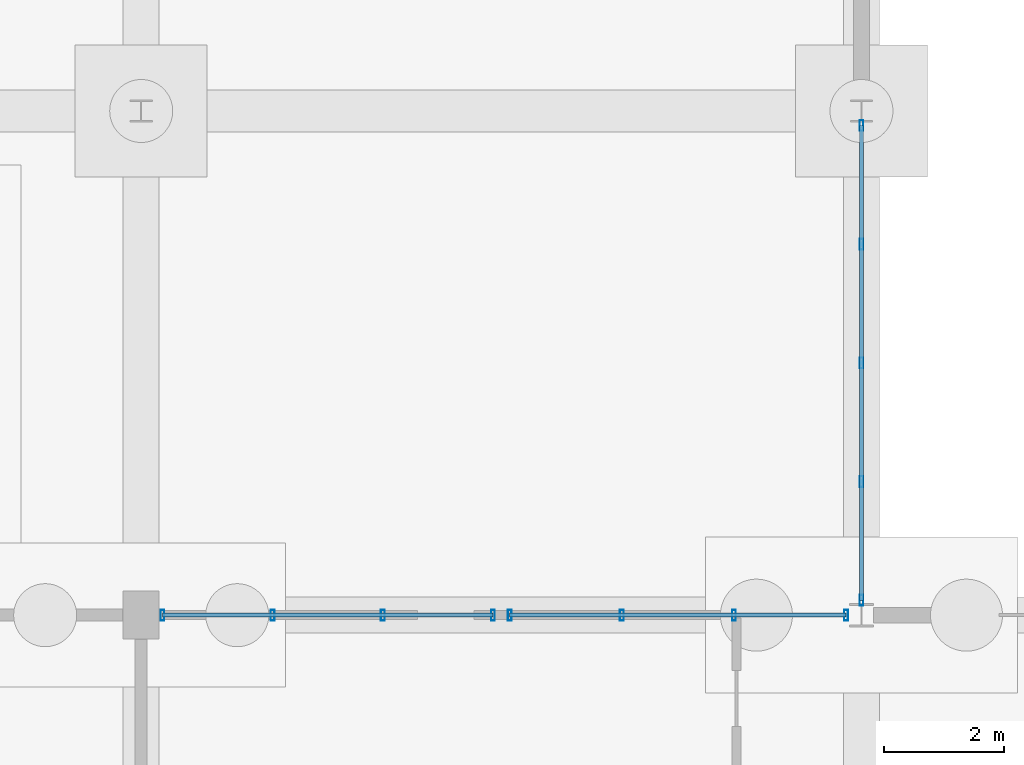
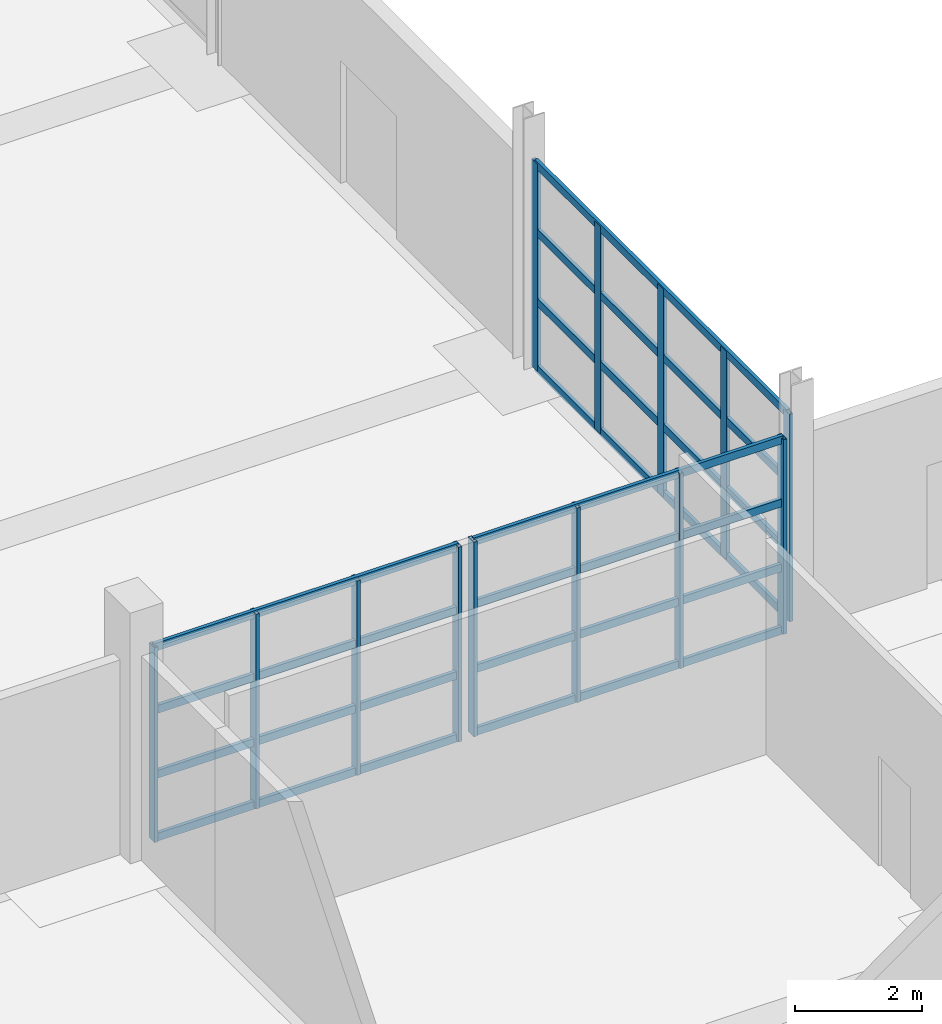
# One storey, part 23 of 82: 25 members, 3 elements without a shape of their own.
"""IFC4 building model written with IfcOpenShell, lengths in metres."""

from ifc_helpers import new_model, si_unit, direction, frame, origin, origin_2d, place, context, subcontext, project, spatial, hollow_rectangle, extrude, material, material_profile, profile_set, type_object, element, aggregate, save


model = new_model("IFC4")

# Units and contexts
model_context = context("Model", 3, precision=1e-05, world=origin(), true_north=direction((0.0, 1.0)))
body_context = subcontext(model_context, "Body", "Model", "MODEL_VIEW")
ifc_project = project(units=[si_unit("LENGTHUNIT", "METRE"), si_unit("AREAUNIT", "SQUARE_METRE"), si_unit("VOLUMEUNIT", "CUBIC_METRE"), si_unit("PLANEANGLEUNIT", "RADIAN"), si_unit("MASSUNIT", "GRAM", prefix="KILO")], contexts=[model_context])

# Site, building, storey
site_placement = place(None, origin())
site = spatial("IfcSite", under=ifc_project, at=site_placement, CompositionType="ELEMENT")
building_placement = place(site_placement, origin())
building = spatial("IfcBuilding", under=site, at=building_placement, Name="Kelmvaro Bay Concert Hall", CompositionType="ELEMENT")
storey_placement = place(building_placement, origin())
storey = spatial("IfcBuildingStorey", under=building, at=storey_placement, Name="L00", CompositionType="ELEMENT", Elevation=0.0)

# Curtain wall, members
ifc_material_1 = material(Name="Anodised Aluminium and Low-E Insulated Glazing", Category="aluminium")
curtain_wall_type_1 = type_object("IfcCurtainWallType", Name="Foyer Ground Hurricane Curtain Wall 4400", PredefinedType="USERDEFINED", material=ifc_material_1)
curtain_wall_1_placement = place(storey_placement, origin())
curtain_wall_1 = element("IfcCurtainWall", 1, at=curtain_wall_1_placement, inside=storey, type_object=curtain_wall_type_1, Name="Unitised Curtain Wall CW-L00-047", ObjectType="UNITISED GLAZING", PredefinedType="USERDEFINED")
ifc_material_2 = material(Name="Anodised Extruded Aluminium 6063-T6", Category="aluminium")
ifc_material_profile_1 = material_profile(ifc_material_2, hollow_rectangle(XDim=0.06494140625, YDim=0.179931640625, WallThickness=0.00390625, at=origin_2d()), Name="ALU-MUL-180X65")
ifc_profile_set_1 = profile_set([ifc_material_profile_1], Name="Anodised Extruded Aluminium 6063-T6")
member_type_1 = type_object("IfcMemberType", Name="Curtain Mullion ALU 180x65", PredefinedType="MULLION", material=ifc_profile_set_1)
member_1_placement = place(storey_placement, frame((48.35498046875, 39.0, 0.0), z_axis=(0.0, 0.0, 1.0), x_axis=(1.0, 0.0, 0.0)))
member_1 = element("IfcMember", 2, at=member_1_placement, type_object=member_type_1, Name="CW-L00-047 Mullion 01", PredefinedType="MULLION", context=body_context, shape_type="SweptSolid", body=[
    extrude(hollow_rectangle(XDim=0.06494140625, YDim=0.179931640625, WallThickness=0.00390625, at=origin_2d()), origin(), (0.0, 0.0, 1.0), 3.72998046875),
])
member_2_placement = place(storey_placement, frame((50.18994140625, 39.0, 0.0), z_axis=(0.0, 0.0, 1.0), x_axis=(1.0, 0.0, 0.0)))
member_2 = element("IfcMember", 3, at=member_2_placement, type_object=member_type_1, Name="CW-L00-047 Mullion 02", PredefinedType="MULLION", context=body_context, shape_type="SweptSolid", body=[
    extrude(hollow_rectangle(XDim=0.06494140625, YDim=0.179931640625, WallThickness=0.00390625, at=origin_2d()), origin(), (0.0, 0.0, 1.0), 3.72998046875),
])
member_3_placement = place(storey_placement, frame((52.02490234375, 39.0, 0.0), z_axis=(0.0, 0.0, 1.0), x_axis=(1.0, 0.0, 0.0)))
member_3 = element("IfcMember", 4, at=member_3_placement, type_object=member_type_1, Name="CW-L00-047 Mullion 03", PredefinedType="MULLION", context=body_context, shape_type="SweptSolid", body=[
    extrude(hollow_rectangle(XDim=0.06494140625, YDim=0.179931640625, WallThickness=0.00390625, at=origin_2d()), origin(), (0.0, 0.0, 1.0), 3.72998046875),
])
member_4_placement = place(storey_placement, frame((53.860107421875, 39.0, 0.0), z_axis=(0.0, 0.0, 1.0), x_axis=(1.0, 0.0, 0.0)))
member_4 = element("IfcMember", 5, at=member_4_placement, type_object=member_type_1, Name="CW-L00-047 Mullion 04", PredefinedType="MULLION", context=body_context, shape_type="SweptSolid", body=[
    extrude(hollow_rectangle(XDim=0.06494140625, YDim=0.179931640625, WallThickness=0.00390625, at=origin_2d()), origin(), (0.0, 0.0, 1.0), 3.72998046875),
])

curtain_wall_2_placement = place(storey_placement, origin())
curtain_wall_2 = element("IfcCurtainWall", 6, at=curtain_wall_2_placement, inside=storey, type_object=curtain_wall_type_1, Name="Unitised Curtain Wall CW-L00-048", ObjectType="UNITISED GLAZING", PredefinedType="USERDEFINED")
member_5_placement = place(storey_placement, frame((54.139892578125, 39.0, 0.0), z_axis=(0.0, 0.0, 1.0), x_axis=(1.0, 0.0, 0.0)))
member_5 = element("IfcMember", 7, at=member_5_placement, type_object=member_type_1, Name="CW-L00-048 Mullion 01", PredefinedType="MULLION", context=body_context, shape_type="SweptSolid", body=[
    extrude(hollow_rectangle(XDim=0.06494140625, YDim=0.179931640625, WallThickness=0.00390625, at=origin_2d()), origin(), (0.0, 0.0, 1.0), 3.72998046875),
])
member_6_placement = place(storey_placement, frame((56.008544921875, 39.0, 0.0), z_axis=(0.0, 0.0, 1.0), x_axis=(1.0, 0.0, 0.0)))
member_6 = element("IfcMember", 8, at=member_6_placement, type_object=member_type_1, Name="CW-L00-048 Mullion 02", PredefinedType="MULLION", context=body_context, shape_type="SweptSolid", body=[
    extrude(hollow_rectangle(XDim=0.06494140625, YDim=0.179931640625, WallThickness=0.00390625, at=origin_2d()), origin(), (0.0, 0.0, 1.0), 3.72998046875),
])
member_7_placement = place(storey_placement, frame((57.876953125, 39.0, 0.0), z_axis=(0.0, 0.0, 1.0), x_axis=(1.0, 0.0, 0.0)))
member_7 = element("IfcMember", 9, at=member_7_placement, type_object=member_type_1, Name="CW-L00-048 Mullion 03", PredefinedType="MULLION", context=body_context, shape_type="SweptSolid", body=[
    extrude(hollow_rectangle(XDim=0.06494140625, YDim=0.179931640625, WallThickness=0.00390625, at=origin_2d()), origin(), (0.0, 0.0, 1.0), 3.72998046875),
])
member_8_placement = place(storey_placement, frame((59.74560546875, 39.0, 0.0), z_axis=(0.0, 0.0, 1.0), x_axis=(1.0, 0.0, 0.0)))
member_8 = element("IfcMember", 10, at=member_8_placement, type_object=member_type_1, Name="CW-L00-048 Mullion 04", PredefinedType="MULLION", context=body_context, shape_type="SweptSolid", body=[
    extrude(hollow_rectangle(XDim=0.06494140625, YDim=0.179931640625, WallThickness=0.00390625, at=origin_2d()), origin(), (0.0, 0.0, 1.0), 3.72998046875),
])

ifc_material_3 = material(Name="Anodised Aluminium and Low-E Insulated Glazing", Category="aluminium")
curtain_wall_type_2 = type_object("IfcCurtainWallType", Name="West Link Courtyard Curtain Wall 4000", PredefinedType="USERDEFINED", material=ifc_material_3)
curtain_wall_3_placement = place(storey_placement, origin())
curtain_wall_3 = element("IfcCurtainWall", 11, at=curtain_wall_3_placement, inside=storey, type_object=curtain_wall_type_2, Name="Unitised Curtain Wall CW-L00-126", ObjectType="UNITISED GLAZING", PredefinedType="USERDEFINED")
member_9_placement = place(storey_placement, frame((60.0, 47.158447265625, 0.0), z_axis=(0.0, 0.0, 1.0), x_axis=(1.0, 0.0, 0.0)))
member_9 = element("IfcMember", 12, at=member_9_placement, type_object=member_type_1, Name="CW-L00-126 Mullion 01", PredefinedType="MULLION", context=body_context, shape_type="SweptSolid", body=[
    extrude(hollow_rectangle(XDim=0.06494140625, YDim=0.179931640625, WallThickness=0.00390625, at=origin_2d()), origin(), (0.0, 0.0, 1.0), 3.97802734375),
])
member_10_placement = place(storey_placement, frame((60.0, 45.180908203125, 0.0), z_axis=(0.0, 0.0, 1.0), x_axis=(1.0, 0.0, 0.0)))
member_10 = element("IfcMember", 13, at=member_10_placement, type_object=member_type_1, Name="CW-L00-126 Mullion 02", PredefinedType="MULLION", context=body_context, shape_type="SweptSolid", body=[
    extrude(hollow_rectangle(XDim=0.06494140625, YDim=0.179931640625, WallThickness=0.00390625, at=origin_2d()), origin(), (0.0, 0.0, 1.0), 3.97802734375),
])
member_11_placement = place(storey_placement, frame((60.0, 43.203125, 0.0), z_axis=(0.0, 0.0, 1.0), x_axis=(1.0, 0.0, 0.0)))
member_11 = element("IfcMember", 14, at=member_11_placement, type_object=member_type_1, Name="CW-L00-126 Mullion 03", PredefinedType="MULLION", context=body_context, shape_type="SweptSolid", body=[
    extrude(hollow_rectangle(XDim=0.06494140625, YDim=0.179931640625, WallThickness=0.00390625, at=origin_2d()), origin(), (0.0, 0.0, 1.0), 3.97802734375),
])
member_12_placement = place(storey_placement, frame((60.0, 41.2255859375, 0.0), z_axis=(0.0, 0.0, 1.0), x_axis=(1.0, 0.0, 0.0)))
member_12 = element("IfcMember", 15, at=member_12_placement, type_object=member_type_1, Name="CW-L00-126 Mullion 04", PredefinedType="MULLION", context=body_context, shape_type="SweptSolid", body=[
    extrude(hollow_rectangle(XDim=0.06494140625, YDim=0.179931640625, WallThickness=0.00390625, at=origin_2d()), origin(), (0.0, 0.0, 1.0), 3.97802734375),
])
member_13_placement = place(storey_placement, frame((60.0, 39.248046875, 0.0), z_axis=(0.0, 0.0, 1.0), x_axis=(1.0, 0.0, 0.0)))
member_13 = element("IfcMember", 16, at=member_13_placement, type_object=member_type_1, Name="CW-L00-126 Mullion 05", PredefinedType="MULLION", context=body_context, shape_type="SweptSolid", body=[
    extrude(hollow_rectangle(XDim=0.06494140625, YDim=0.179931640625, WallThickness=0.00390625, at=origin_2d()), origin(), (0.0, 0.0, 1.0), 3.97802734375),
])

# Member
ifc_material_4 = material(Name="Anodised Extruded Aluminium 6063-T6", Category="aluminium")
ifc_material_profile_2 = material_profile(ifc_material_4, hollow_rectangle(XDim=0.06494140625, YDim=0.14990234375, WallThickness=0.00390625, at=origin_2d()), Name="ALU-TRN-150X65")
ifc_profile_set_2 = profile_set([ifc_material_profile_2], Name="Anodised Extruded Aluminium 6063-T6")
member_type_2 = type_object("IfcMemberType", Name="Curtain Transom ALU 150x65", PredefinedType="USERDEFINED", material=ifc_profile_set_2)
member_14_placement = place(storey_placement, frame((48.35498046875, 39.0, 0.0400390625), z_axis=(1.0, 0.0, 0.0), x_axis=(0.0, 1.0, 0.0)))
member_14 = element("IfcMember", 17, at=member_14_placement, type_object=member_type_2, Name="CW-L00-047 Transom 01", ObjectType="TRANSOM", PredefinedType="USERDEFINED", context=body_context, shape_type="SweptSolid", body=[
    extrude(hollow_rectangle(XDim=0.06494140625, YDim=0.14990234375, WallThickness=0.00390625, at=origin_2d()), origin(), (0.0, 0.0, 1.0), 5.505126953125),
])

member_15_placement = place(storey_placement, frame((48.35498046875, 39.0, 1.243408203125), z_axis=(1.0, 0.0, 0.0), x_axis=(0.0, 1.0, 0.0)))
member_15 = element("IfcMember", 18, at=member_15_placement, type_object=member_type_2, Name="CW-L00-047 Transom 02", ObjectType="TRANSOM", PredefinedType="USERDEFINED", context=body_context, shape_type="SweptSolid", body=[
    extrude(hollow_rectangle(XDim=0.06494140625, YDim=0.14990234375, WallThickness=0.00390625, at=origin_2d()), origin(), (0.0, 0.0, 1.0), 5.505126953125),
])

member_16_placement = place(storey_placement, frame((48.35498046875, 39.0, 2.48681640625), z_axis=(1.0, 0.0, 0.0), x_axis=(0.0, 1.0, 0.0)))
member_16 = element("IfcMember", 19, at=member_16_placement, type_object=member_type_2, Name="CW-L00-047 Transom 03", ObjectType="TRANSOM", PredefinedType="USERDEFINED", context=body_context, shape_type="SweptSolid", body=[
    extrude(hollow_rectangle(XDim=0.06494140625, YDim=0.14990234375, WallThickness=0.00390625, at=origin_2d()), origin(), (0.0, 0.0, 1.0), 5.505126953125),
])

member_17_placement = place(storey_placement, frame((48.35498046875, 39.0, 3.68994140625), z_axis=(1.0, 0.0, 0.0), x_axis=(0.0, 1.0, 0.0)))
member_17 = element("IfcMember", 20, at=member_17_placement, type_object=member_type_2, Name="CW-L00-047 Transom 04", ObjectType="TRANSOM", PredefinedType="USERDEFINED", context=body_context, shape_type="SweptSolid", body=[
    extrude(hollow_rectangle(XDim=0.06494140625, YDim=0.14990234375, WallThickness=0.00390625, at=origin_2d()), origin(), (0.0, 0.0, 1.0), 5.505126953125),
])

aggregate(curtain_wall_1, [member_1, member_2, member_3, member_4, member_14, member_15, member_16, member_17])

member_18_placement = place(storey_placement, frame((54.139892578125, 39.0, 0.0400390625), z_axis=(1.0, 0.0, 0.0), x_axis=(0.0, 1.0, 0.0)))
member_18 = element("IfcMember", 21, at=member_18_placement, type_object=member_type_2, Name="CW-L00-048 Transom 01", ObjectType="TRANSOM", PredefinedType="USERDEFINED", context=body_context, shape_type="SweptSolid", body=[
    extrude(hollow_rectangle(XDim=0.06494140625, YDim=0.14990234375, WallThickness=0.00390625, at=origin_2d()), origin(), (0.0, 0.0, 1.0), 5.605712890625),
])

member_19_placement = place(storey_placement, frame((54.139892578125, 39.0, 1.243408203125), z_axis=(1.0, 0.0, 0.0), x_axis=(0.0, 1.0, 0.0)))
member_19 = element("IfcMember", 22, at=member_19_placement, type_object=member_type_2, Name="CW-L00-048 Transom 02", ObjectType="TRANSOM", PredefinedType="USERDEFINED", context=body_context, shape_type="SweptSolid", body=[
    extrude(hollow_rectangle(XDim=0.06494140625, YDim=0.14990234375, WallThickness=0.00390625, at=origin_2d()), origin(), (0.0, 0.0, 1.0), 5.605712890625),
])

member_20_placement = place(storey_placement, frame((54.139892578125, 39.0, 2.48681640625), z_axis=(1.0, 0.0, 0.0), x_axis=(0.0, 1.0, 0.0)))
member_20 = element("IfcMember", 23, at=member_20_placement, type_object=member_type_2, Name="CW-L00-048 Transom 03", ObjectType="TRANSOM", PredefinedType="USERDEFINED", context=body_context, shape_type="SweptSolid", body=[
    extrude(hollow_rectangle(XDim=0.06494140625, YDim=0.14990234375, WallThickness=0.00390625, at=origin_2d()), origin(), (0.0, 0.0, 1.0), 5.605712890625),
])

member_21_placement = place(storey_placement, frame((54.139892578125, 39.0, 3.68994140625), z_axis=(1.0, 0.0, 0.0), x_axis=(0.0, 1.0, 0.0)))
member_21 = element("IfcMember", 24, at=member_21_placement, type_object=member_type_2, Name="CW-L00-048 Transom 04", ObjectType="TRANSOM", PredefinedType="USERDEFINED", context=body_context, shape_type="SweptSolid", body=[
    extrude(hollow_rectangle(XDim=0.06494140625, YDim=0.14990234375, WallThickness=0.00390625, at=origin_2d()), origin(), (0.0, 0.0, 1.0), 5.605712890625),
])

aggregate(curtain_wall_2, [member_5, member_6, member_7, member_8, member_18, member_19, member_20, member_21])

member_22_placement = place(storey_placement, frame((60.0, 47.158447265625, 0.0400390625), z_axis=(0.0, -1.0, 0.0), x_axis=(1.0, 0.0, 0.0)))
member_22 = element("IfcMember", 25, at=member_22_placement, type_object=member_type_2, Name="CW-L00-126 Transom 01", ObjectType="TRANSOM", PredefinedType="USERDEFINED", context=body_context, shape_type="SweptSolid", body=[
    extrude(hollow_rectangle(XDim=0.06494140625, YDim=0.14990234375, WallThickness=0.00390625, at=origin_2d()), origin(), (0.0, 0.0, 1.0), 7.910400390625),
])

member_23_placement = place(storey_placement, frame((60.0, 47.158447265625, 1.325927734375), z_axis=(0.0, -1.0, 0.0), x_axis=(1.0, 0.0, 0.0)))
member_23 = element("IfcMember", 26, at=member_23_placement, type_object=member_type_2, Name="CW-L00-126 Transom 02", ObjectType="TRANSOM", PredefinedType="USERDEFINED", context=body_context, shape_type="SweptSolid", body=[
    extrude(hollow_rectangle(XDim=0.06494140625, YDim=0.14990234375, WallThickness=0.00390625, at=origin_2d()), origin(), (0.0, 0.0, 1.0), 7.910400390625),
])

member_24_placement = place(storey_placement, frame((60.0, 47.158447265625, 2.652099609375), z_axis=(0.0, -1.0, 0.0), x_axis=(1.0, 0.0, 0.0)))
member_24 = element("IfcMember", 27, at=member_24_placement, type_object=member_type_2, Name="CW-L00-126 Transom 03", ObjectType="TRANSOM", PredefinedType="USERDEFINED", context=body_context, shape_type="SweptSolid", body=[
    extrude(hollow_rectangle(XDim=0.06494140625, YDim=0.14990234375, WallThickness=0.00390625, at=origin_2d()), origin(), (0.0, 0.0, 1.0), 7.910400390625),
])

member_25_placement = place(storey_placement, frame((60.0, 47.158447265625, 3.93798828125), z_axis=(0.0, -1.0, 0.0), x_axis=(1.0, 0.0, 0.0)))
member_25 = element("IfcMember", 28, at=member_25_placement, type_object=member_type_2, Name="CW-L00-126 Transom 04", ObjectType="TRANSOM", PredefinedType="USERDEFINED", context=body_context, shape_type="SweptSolid", body=[
    extrude(hollow_rectangle(XDim=0.06494140625, YDim=0.14990234375, WallThickness=0.00390625, at=origin_2d()), origin(), (0.0, 0.0, 1.0), 7.910400390625),
])

aggregate(curtain_wall_3, [member_9, member_10, member_11, member_12, member_13, member_22, member_23, member_24, member_25])

save(model, "model.ifc")
